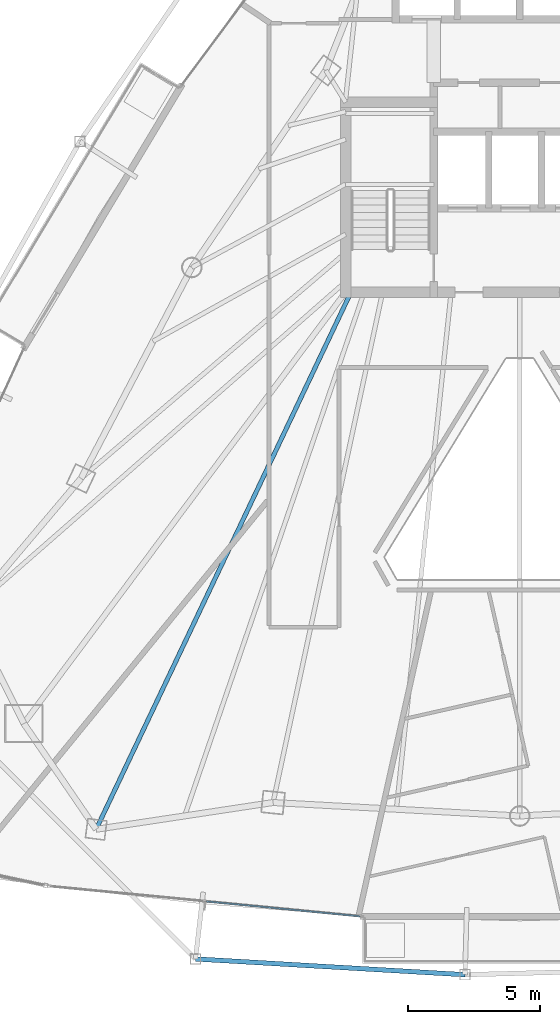
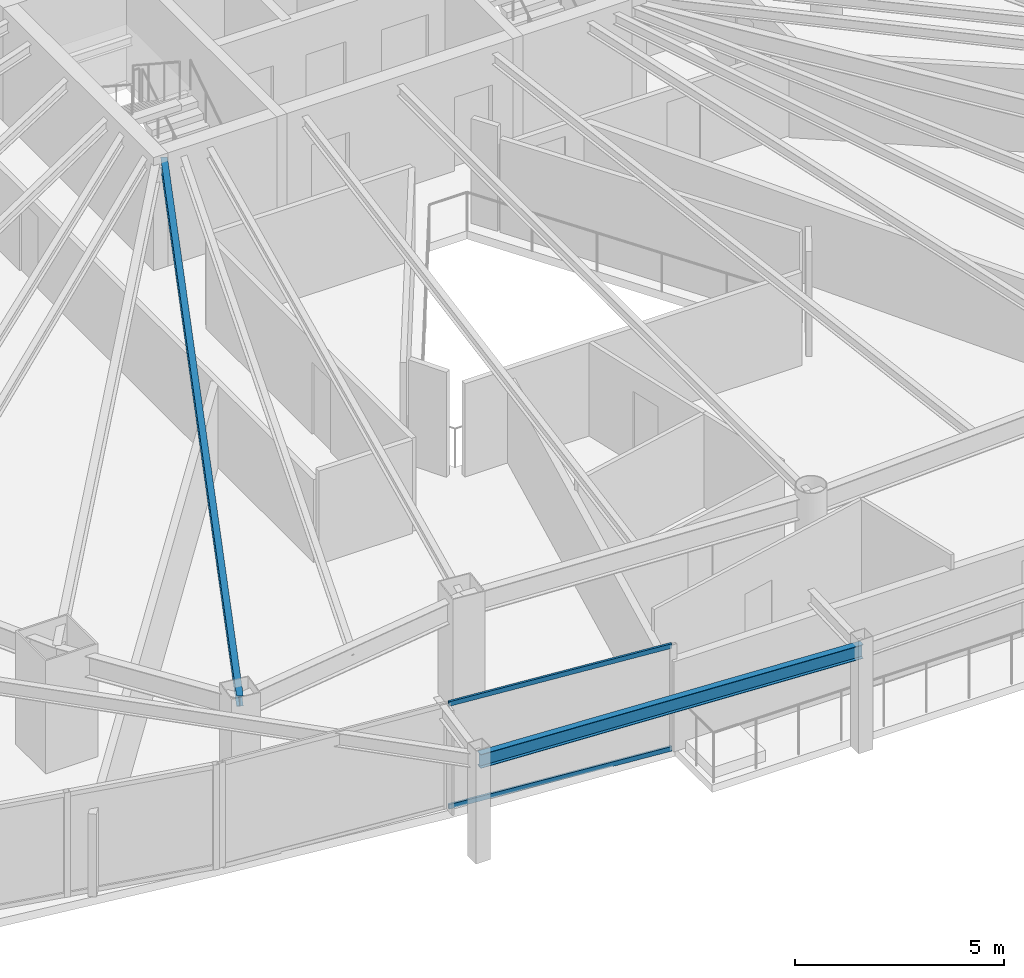
# One storey, part 6 of 33: 2 beams, 2 members, 1 element without a shape of its own.
"""IFC4 building model written with IfcOpenShell, lengths in metres."""

from ifc_helpers import new_model, si_unit, direction, frame, origin, origin_2d, place, context, subcontext, project, spatial, hollow_rectangle, i_section, extrude, material, layer, layer_set, material_profile, profile_set, type_object, element, aggregate, save


model = new_model("IFC4")

# Units and contexts
model_context = context("Model", 3, precision=1e-05, world=origin(), true_north=direction((0.0, 1.0)))
body_context = subcontext(model_context, "Body", "Model", "MODEL_VIEW")
ifc_project = project(units=[si_unit("LENGTHUNIT", "METRE"), si_unit("AREAUNIT", "SQUARE_METRE"), si_unit("VOLUMEUNIT", "CUBIC_METRE"), si_unit("PLANEANGLEUNIT", "RADIAN"), si_unit("MASSUNIT", "GRAM", prefix="KILO")], contexts=[model_context])

# Site, building, storey
site_placement = place(None, origin())
site = spatial("IfcSite", under=ifc_project, at=site_placement, CompositionType="ELEMENT")
building_placement = place(site_placement, origin())
building = spatial("IfcBuilding", under=site, at=building_placement, Name="Orvanel Arch Residences", CompositionType="ELEMENT")
storey_placement = place(building_placement, frame((0.0, 0.0, 116.60009765625)))
storey = spatial("IfcBuildingStorey", under=building, at=storey_placement, Name="L32", CompositionType="ELEMENT", Elevation=116.60009765625)

# Beams
ifc_material_1 = material(Name="Structural steel AS/NZS 3679.1 Grade 300 (300 MPa)", Category="steel")
ifc_material_profile_1 = material_profile(ifc_material_1, i_section(OverallWidth=0.1650390625, OverallDepth=0.303955078125, WebThickness=0.006103515625, FlangeThickness=0.01025390625, at=origin_2d()), Name="310UB40.4")
ifc_profile_set_1 = profile_set([ifc_material_profile_1], Name="Structural steel AS/NZS 3679.1 Grade 300 (300 MPa)")
beam_type_1 = type_object("IfcBeamType", Name="BJ-310UB", PredefinedType="JOIST", material=ifc_profile_set_1)
beam_1_placement = place(storey_placement, frame((26.60009765625, 26.699951171875, 2.907958984375), z_axis=(-0.428614365266, -0.903487534993, 0.0), x_axis=(0.903487534993, -0.428614365266, 0.0)))
element("IfcBeam", 1, at=beam_1_placement, inside=storey, type_object=beam_type_1, Name="L32 MSW Wing Floor Joist", PredefinedType="JOIST", context=body_context, shape_type="SweptSolid", body=[
    extrude(i_section(OverallWidth=0.1650390625, OverallDepth=0.303955078125, WebThickness=0.006103515625, FlangeThickness=0.01025390625, at=origin_2d()), origin(), (0.0, 0.0, 1.0), 22.535888671875),
])
ifc_material_profile_2 = material_profile(ifc_material_1, i_section(OverallWidth=0.177978515625, OverallDepth=0.406005859375, WebThickness=0.0078125, FlangeThickness=0.0126953125, at=origin_2d()), Name="410UB59.7")
ifc_profile_set_2 = profile_set([ifc_material_profile_2], Name="Structural steel AS/NZS 3679.1 Grade 300 (300 MPa)")
beam_type_2 = type_object("IfcBeamType", Name="OB-410UB-EXT", PredefinedType="SPANDREL", material=ifc_profile_set_2)
beam_2_placement = place(storey_placement, frame((20.70703125, 1.424072265625, 2.85693359375), z_axis=(0.998290703573, -0.058443743548, 0.0), x_axis=(0.058443743548, 0.998290703573, 0.0)))
element("IfcBeam", 2, at=beam_2_placement, inside=storey, type_object=beam_type_2, Name="L32 Outer Perimeter Floor Ring Beam 05", PredefinedType="SPANDREL", context=body_context, shape_type="SweptSolid", body=[
    extrude(i_section(OverallWidth=0.177978515625, OverallDepth=0.406005859375, WebThickness=0.0078125, FlangeThickness=0.0126953125, at=origin_2d()), origin(), (0.0, 0.0, 1.0), 10.234619140625),
])

# Curtain wall, members
ifc_material_2 = material(Name="Bronze-anodised aluminium AA6063-T6", Category="aluminium")
ifc_layer = layer(ifc_material_2, 0.179931640625)
ifc_layer_set = layer_set([ifc_layer], Name="Bronze-anodised aluminium AA6063-T6")
curtain_wall_type = type_object("IfcCurtainWallType", Name="CW3-MID-SYS", PredefinedType="NOTDEFINED", material=ifc_layer_set)
curtain_wall_placement = place(storey_placement, origin())
curtain_wall = element("IfcCurtainWall", 3, at=curtain_wall_placement, inside=storey, type_object=curtain_wall_type, Name="L32 CW3-MID-SYS Unitised Curtain Wall", PredefinedType="NOTDEFINED")
ifc_material_profile_3 = material_profile(ifc_material_2, hollow_rectangle(XDim=0.06005859375, YDim=0.135009765625, WallThickness=0.00390625, at=origin_2d()), Name="ALU135x60x4")
ifc_profile_set_3 = profile_set([ifc_material_profile_3], Name="Bronze-anodised aluminium AA6063-T6")
member_type = type_object("IfcMemberType", Name="TRN-135x60", PredefinedType="USERDEFINED", material=ifc_profile_set_3)
member_1_placement = place(storey_placement, frame((21.117431640625, 3.605712890625, 0.02978515625), z_axis=(0.99536005659, -0.096220360342, 0.0), x_axis=(0.096220360342, 0.99536005659, 0.0)))
member_1 = element("IfcMember", 4, at=member_1_placement, type_object=member_type, Name="CW-S3 transom 2.1", ObjectType="TRANSOM", PredefinedType="USERDEFINED", context=body_context, shape_type="SweptSolid", body=[
    extrude(hollow_rectangle(XDim=0.06005859375, YDim=0.135009765625, WallThickness=0.00390625, at=origin_2d()), origin(), (0.0, 0.0, 1.0), 5.861083984375),
])
member_2_placement = place(storey_placement, frame((21.117431640625, 3.605712890625, 3.02978515625), z_axis=(0.99536005659, -0.096220360342, 0.0), x_axis=(0.096220360342, 0.99536005659, 0.0)))
member_2 = element("IfcMember", 5, at=member_2_placement, type_object=member_type, Name="CW-S3 transom 2.2", ObjectType="TRANSOM", PredefinedType="USERDEFINED", context=body_context, shape_type="SweptSolid", body=[
    extrude(hollow_rectangle(XDim=0.06005859375, YDim=0.135009765625, WallThickness=0.00390625, at=origin_2d()), origin(), (0.0, 0.0, 1.0), 5.861083984375),
])
aggregate(curtain_wall, [member_1, member_2])

save(model, "model.ifc")
